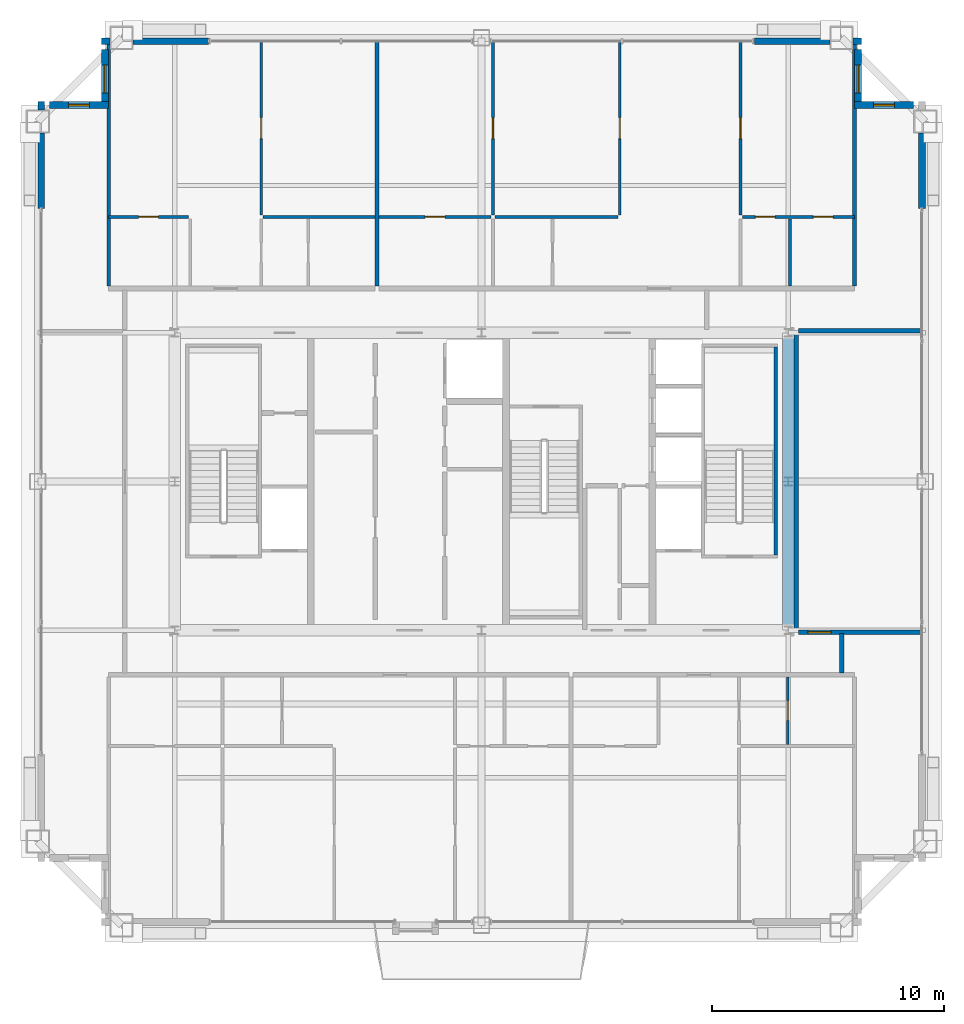
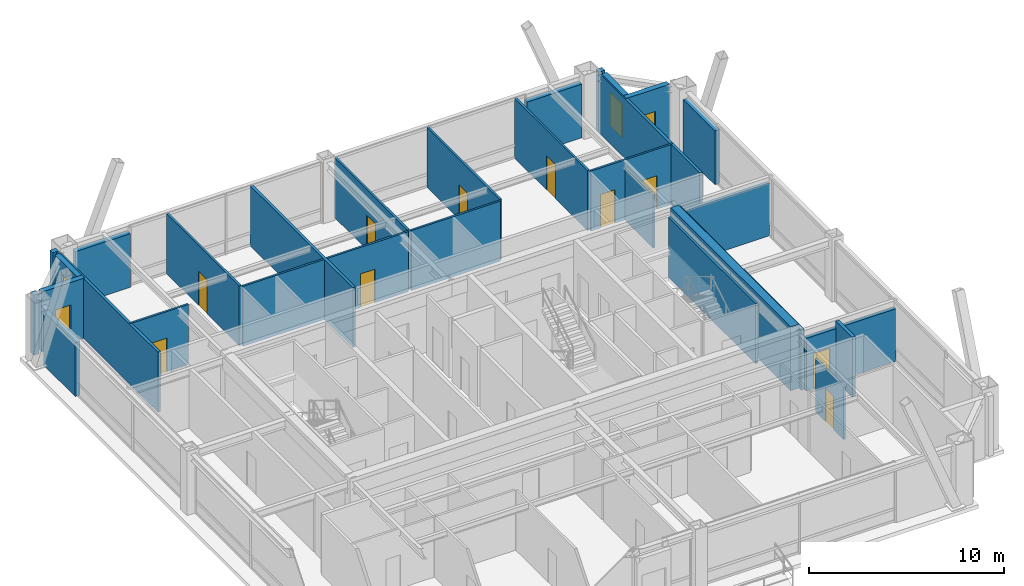
# One storey, part 33 of 35: 31 walls, 10 doors, 4 windows, 14 openings.
"""IFC4 building model written with IfcOpenShell, lengths in metres."""

from ifc_helpers import new_model, si_unit, direction, frame, frame_2d, origin, place, context, subcontext, project, spatial, rectangle, extrude, source, transform, mapped, material, layer, layer_set, type_object, element, fill, save


model = new_model("IFC4")

# Units and contexts
model_context = context("Model", 3, precision=1e-05, world=origin(), true_north=direction((0.0, 1.0)))
body_context = subcontext(model_context, "Body", "Model", "MODEL_VIEW")
ifc_project = project(units=[si_unit("LENGTHUNIT", "METRE"), si_unit("AREAUNIT", "SQUARE_METRE"), si_unit("VOLUMEUNIT", "CUBIC_METRE"), si_unit("PLANEANGLEUNIT", "RADIAN"), si_unit("MASSUNIT", "GRAM", prefix="KILO"), si_unit("THERMODYNAMICTEMPERATUREUNIT", "KELVIN"), si_unit("POWERUNIT", "WATT")], contexts=[model_context])

# Site, building, storey
site_placement = place(None, origin())
site = spatial("IfcSite", under=ifc_project, at=site_placement, CompositionType="ELEMENT")
building_placement = place(site_placement, origin())
building = spatial("IfcBuilding", under=site, at=building_placement, Name="Yuzanri Waterfront Tower", CompositionType="ELEMENT")
storey_placement = place(building_placement, frame((0.0, 0.0, 343.199951171875)))
storey = spatial("IfcBuildingStorey", under=building, at=storey_placement, Name="L92", CompositionType="ELEMENT", Elevation=343.199951171875)

# Wall, opening, door
ifc_material_1 = material(Name="Moisture-Resistant Gypsum Stud Wall", Category="gypsum")
ifc_layer_1 = layer(ifc_material_1, 0.1201171875)
ifc_layer_set_1 = layer_set([ifc_layer_1], Name="Moisture-Resistant Gypsum Stud Wall")
wall_type_1 = type_object("IfcWallType", Name="Bathroom and Kitchen Wet Partition 120", PredefinedType="PARTITIONING", material=ifc_layer_set_1)
wall_1_placement = place(storey_placement, frame((50.179931640625, 14.489990234375, 0.0), z_axis=(0.0, 0.0, 1.0), x_axis=(0.0, 1.0, 0.0)))
wall_1 = element("IfcWall", 1, at=wall_1_placement, inside=storey, type_object=wall_type_1, Name="L92 Partition UW-L92-HS2-SUB-2-W", PredefinedType="PARTITIONING", context=body_context, shape_type="SweptSolid", body=[
    extrude(rectangle(XDim=2.89990234375, YDim=0.1201171875, at=frame_2d((1.449951171875, 0.0))), origin(), (0.0, 0.0, 1.0), 3.304931640625),
])
opening_1_placement = place(wall_1_placement, frame((1.02490234375, 0.0, 0.0)))
opening_1 = element("IfcOpeningElement", 2, at=opening_1_placement, cuts=wall_1, Name="Opening ID-0850", PredefinedType="OPENING", context=body_context, shape_type="SweptSolid", body=[
    extrude(rectangle(XDim=0.85009765625, YDim=2.10009765625, at=frame_2d((0.425048828125, 1.050048828125))), frame((0.0, 0.074951171875, 0.0), z_axis=(0.0, -1.0, 0.0), x_axis=(1.0, 0.0, 0.0)), (0.0, 0.0, 1.0), 0.14990234375),
])
ifc_material_2 = material(Name="Moisture-Resistant Lacquered Timber", Category="wood")
door_type_1 = type_object("IfcDoorType", Name="En-Suite Bathroom and Kitchen Swing Door 850x2100", OperationType="NOTDEFINED", PredefinedType="DOOR", material=ifc_material_2)
shared_shape_1 = source(origin(), body_context, "Body", "SweptSolid", [
    extrude(rectangle(XDim=0.85009765625, YDim=2.10009765625, at=frame_2d((0.425048828125, 1.050048828125))), frame((0.0, 0.02490234375, 0.0), z_axis=(0.0, -1.0, 0.0), x_axis=(1.0, 0.0, 0.0)), (0.0, 0.0, 1.0), 0.050048828125),
])
door_1_placement = place(opening_1_placement, origin())
door_1 = element("IfcDoor", 3, at=door_1_placement, inside=storey, type_object=door_type_1, Name="L92 Suite Interior Room Door", OperationType="SINGLE_SWING_RIGHT", OverallHeight=2.10009765625, OverallWidth=0.85009765625, PredefinedType="DOOR", context=body_context, shape_type="MappedRepresentation", body=[
    mapped(shared_shape_1, transform((0.0, 0.0, 0.0), scale=1.0)),
])
fill(opening_1, door_1)

wall_2_placement = place(storey_placement, frame((20.93994140625, 37.18994140625, 0.0), z_axis=(0.0, 0.0, 1.0), x_axis=(1.0, 0.0, 0.0)))
wall_2 = element("IfcWall", 4, at=wall_2_placement, inside=storey, type_object=wall_type_1, Name="L92 Partition UW-L92-HN1-SUB-1-N", PredefinedType="PARTITIONING", context=body_context, shape_type="SweptSolid", body=[
    extrude(rectangle(XDim=3.445068359375, YDim=0.1201171875, at=frame_2d((1.72265625, 0.0))), origin(), (0.0, 0.0, 1.0), 3.760009765625),
])
opening_2_placement = place(wall_2_placement, frame((1.297607421875, 0.0, 0.0)))
opening_2 = element("IfcOpeningElement", 5, at=opening_2_placement, cuts=wall_2, Name="Opening ID-0850", PredefinedType="OPENING", context=body_context, shape_type="SweptSolid", body=[
    extrude(rectangle(XDim=0.85009765625, YDim=2.10009765625, at=frame_2d((0.425048828125, 1.050048828125))), frame((0.0, 0.074951171875, 0.0), z_axis=(0.0, -1.0, 0.0), x_axis=(1.0, 0.0, 0.0)), (0.0, 0.0, 1.0), 0.14990234375),
])
door_2_placement = place(opening_2_placement, origin())
door_2 = element("IfcDoor", 6, at=door_2_placement, inside=storey, type_object=door_type_1, Name="L92 Suite Interior Room Door", OperationType="SINGLE_SWING_RIGHT", OverallHeight=2.10009765625, OverallWidth=0.85009765625, PredefinedType="DOOR", context=body_context, shape_type="MappedRepresentation", body=[
    mapped(shared_shape_1, transform((0.0, 0.0, 0.0), scale=1.0)),
])
fill(opening_2, door_2)

wall_3_placement = place(storey_placement, frame((27.52001953125, 37.27001953125, 0.0), z_axis=(0.0, 0.0, 1.0), x_axis=(0.0, 1.0, 0.0)))
wall_3 = element("IfcWall", 7, at=wall_3_placement, inside=storey, type_object=wall_type_1, Name="L92 Partition UW-L92-HN1-SUB-3-W", PredefinedType="PARTITIONING", context=body_context, shape_type="SweptSolid", body=[
    extrude(rectangle(XDim=7.47998046875, YDim=0.1201171875, at=frame_2d((3.739990234375, 0.0))), origin(), (0.0, 0.0, 1.0), 3.760009765625),
])
opening_3_placement = place(wall_3_placement, frame((3.2900390625, 0.0, 0.0)))
opening_3 = element("IfcOpeningElement", 8, at=opening_3_placement, cuts=wall_3, Name="Opening ID-0900", PredefinedType="OPENING", context=body_context, shape_type="SweptSolid", body=[
    extrude(rectangle(XDim=0.89990234375, YDim=2.14990234375, at=frame_2d((0.449951171875, 1.074951171875))), frame((0.0, 0.074951171875, 0.0), z_axis=(0.0, -1.0, 0.0), x_axis=(1.0, 0.0, 0.0)), (0.0, 0.0, 1.0), 0.14990234375),
])
ifc_material_3 = material(Name="Stained Walnut Veneer Timber", Category="wood")
door_type_2 = type_object("IfcDoorType", Name="Bedroom and Study Interior Swing Door 900x2150", OperationType="NOTDEFINED", PredefinedType="DOOR", material=ifc_material_3)
shared_shape_2 = source(origin(), body_context, "Body", "SweptSolid", [
    extrude(rectangle(XDim=0.89990234375, YDim=2.14990234375, at=frame_2d((0.449951171875, 1.074951171875))), frame((0.0, 0.02490234375, 0.0), z_axis=(0.0, -1.0, 0.0), x_axis=(1.0, 0.0, 0.0)), (0.0, 0.0, 1.0), 0.050048828125),
])
door_3_placement = place(opening_3_placement, origin())
door_3 = element("IfcDoor", 9, at=door_3_placement, inside=storey, type_object=door_type_2, Name="L92 Suite Interior Room Door", OperationType="SINGLE_SWING_RIGHT", OverallHeight=2.14990234375, OverallWidth=0.89990234375, PredefinedType="DOOR", context=body_context, shape_type="MappedRepresentation", body=[
    mapped(shared_shape_2, transform((0.0, 0.0, 0.0), scale=1.0)),
])
fill(opening_3, door_3)

wall_4_placement = place(storey_placement, frame((32.5830078125, 37.18994140625, 0.0), z_axis=(0.0, 0.0, 1.0), x_axis=(1.0, 0.0, 0.0)))
wall_4 = element("IfcWall", 10, at=wall_4_placement, inside=storey, type_object=wall_type_1, Name="L92 Partition UW-L92-HN2-SUB-1-N", PredefinedType="PARTITIONING", context=body_context, shape_type="SweptSolid", body=[
    extrude(rectangle(XDim=4.830078125, YDim=0.1201171875, at=frame_2d((2.4150390625, 0.0))), origin(), (0.0, 0.0, 1.0), 3.760009765625),
])
opening_4_placement = place(wall_4_placement, frame((1.989990234375, 0.0, 0.0)))
opening_4 = element("IfcOpeningElement", 11, at=opening_4_placement, cuts=wall_4, Name="Opening ID-0850", PredefinedType="OPENING", context=body_context, shape_type="SweptSolid", body=[
    extrude(rectangle(XDim=0.85009765625, YDim=2.10009765625, at=frame_2d((0.425048828125, 1.050048828125))), frame((0.0, 0.074951171875, 0.0), z_axis=(0.0, -1.0, 0.0), x_axis=(1.0, 0.0, 0.0)), (0.0, 0.0, 1.0), 0.14990234375),
])
door_4_placement = place(opening_4_placement, origin())
door_4 = element("IfcDoor", 12, at=door_4_placement, inside=storey, type_object=door_type_1, Name="L92 Suite Interior Room Door", OperationType="SINGLE_SWING_LEFT", OverallHeight=2.10009765625, OverallWidth=0.85009765625, PredefinedType="DOOR", context=body_context, shape_type="MappedRepresentation", body=[
    mapped(shared_shape_1, transform((0.0, 0.0, 0.0), scale=1.0)),
])
fill(opening_4, door_4)

wall_5_placement = place(storey_placement, frame((37.492919921875, 37.27001953125, 0.0), z_axis=(0.0, 0.0, 1.0), x_axis=(0.0, 1.0, 0.0)))
wall_5 = element("IfcWall", 13, at=wall_5_placement, inside=storey, type_object=wall_type_1, Name="L92 Partition UW-L92-HN2-SUB-5-E", PredefinedType="PARTITIONING", context=body_context, shape_type="SweptSolid", body=[
    extrude(rectangle(XDim=7.47998046875, YDim=0.1201171875, at=frame_2d((3.739990234375, 0.0))), origin(), (0.0, 0.0, 1.0), 3.760009765625),
])
opening_5_placement = place(wall_5_placement, frame((3.2900390625, 0.0, 0.0)))
opening_5 = element("IfcOpeningElement", 14, at=opening_5_placement, cuts=wall_5, Name="Opening ID-0900", PredefinedType="OPENING", context=body_context, shape_type="SweptSolid", body=[
    extrude(rectangle(XDim=0.89990234375, YDim=2.14990234375, at=frame_2d((0.449951171875, 1.074951171875))), frame((0.0, 0.074951171875, 0.0), z_axis=(0.0, -1.0, 0.0), x_axis=(1.0, 0.0, 0.0)), (0.0, 0.0, 1.0), 0.14990234375),
])
door_5_placement = place(opening_5_placement, origin())
door_5 = element("IfcDoor", 15, at=door_5_placement, inside=storey, type_object=door_type_2, Name="L92 Suite Interior Room Door", OperationType="SINGLE_SWING_LEFT", OverallHeight=2.14990234375, OverallWidth=0.89990234375, PredefinedType="DOOR", context=body_context, shape_type="MappedRepresentation", body=[
    mapped(shared_shape_2, transform((0.0, 0.0, 0.0), scale=1.0)),
])
fill(opening_5, door_5)

# Wall, openings, doors
wall_6_placement = place(storey_placement, frame((48.22998046875, 37.18994140625, 0.0), z_axis=(0.0, 0.0, 1.0), x_axis=(1.0, 0.0, 0.0)))
wall_6 = element("IfcWall", 16, at=wall_6_placement, inside=storey, type_object=wall_type_1, Name="L92 Partition UW-L92-HN2-SUB-6-S", PredefinedType="PARTITIONING", context=body_context, shape_type="SweptSolid", body=[
    extrude(rectangle(XDim=4.830078125, YDim=0.1201171875, at=frame_2d((2.4150390625, 0.0))), origin(), (0.0, 0.0, 1.0), 3.760009765625),
])
opening_6_placement = place(wall_6_placement, frame((3.054931640625, 0.0, 0.0)))
opening_6 = element("IfcOpeningElement", 17, at=opening_6_placement, cuts=wall_6, Name="Opening ID-0850", PredefinedType="OPENING", context=body_context, shape_type="SweptSolid", body=[
    extrude(rectangle(XDim=0.85009765625, YDim=2.10009765625, at=frame_2d((0.425048828125, 1.050048828125))), frame((0.0, 0.074951171875, 0.0), z_axis=(0.0, -1.0, 0.0), x_axis=(1.0, 0.0, 0.0)), (0.0, 0.0, 1.0), 0.14990234375),
])
opening_7_placement = place(wall_6_placement, frame((0.56005859375, 0.0, 0.0)))
opening_7 = element("IfcOpeningElement", 18, at=opening_7_placement, cuts=wall_6, Name="Opening ID-0850", PredefinedType="OPENING", context=body_context, shape_type="SweptSolid", body=[
    extrude(rectangle(XDim=0.85009765625, YDim=2.10009765625, at=frame_2d((0.425048828125, 1.050048828125))), frame((0.0, 0.074951171875, 0.0), z_axis=(0.0, -1.0, 0.0), x_axis=(1.0, 0.0, 0.0)), (0.0, 0.0, 1.0), 0.14990234375),
])
door_6_placement = place(opening_6_placement, origin())
door_6 = element("IfcDoor", 19, at=door_6_placement, inside=storey, type_object=door_type_1, Name="L92 Suite Interior Room Door", OperationType="SINGLE_SWING_LEFT", OverallHeight=2.10009765625, OverallWidth=0.85009765625, PredefinedType="DOOR", context=body_context, shape_type="MappedRepresentation", body=[
    mapped(shared_shape_1, transform((0.0, 0.0, 0.0), scale=1.0)),
])
fill(opening_6, door_6)
door_7_placement = place(opening_7_placement, origin())
door_7 = element("IfcDoor", 20, at=door_7_placement, inside=storey, type_object=door_type_1, Name="L92 Suite Interior Room Door", OperationType="SINGLE_SWING_RIGHT", OverallHeight=2.10009765625, OverallWidth=0.85009765625, PredefinedType="DOOR", context=body_context, shape_type="MappedRepresentation", body=[
    mapped(shared_shape_1, transform((0.0, 0.0, 0.0), scale=1.0)),
])
fill(opening_7, door_7)

# Wall, opening, door
wall_7_placement = place(storey_placement, frame((48.14990234375, 37.27001953125, 0.0), z_axis=(0.0, 0.0, 1.0), x_axis=(0.0, 1.0, 0.0)))
wall_7 = element("IfcWall", 21, at=wall_7_placement, inside=storey, type_object=wall_type_1, Name="L92 Partition UW-L92-HN2-SUB-6-W", PredefinedType="PARTITIONING", context=body_context, shape_type="SweptSolid", body=[
    extrude(rectangle(XDim=7.47998046875, YDim=0.1201171875, at=frame_2d((3.739990234375, 0.0))), origin(), (0.0, 0.0, 1.0), 3.760009765625),
])
opening_8_placement = place(wall_7_placement, frame((3.2900390625, 0.0, 0.0)))
opening_8 = element("IfcOpeningElement", 22, at=opening_8_placement, cuts=wall_7, Name="Opening ID-0900", PredefinedType="OPENING", context=body_context, shape_type="SweptSolid", body=[
    extrude(rectangle(XDim=0.89990234375, YDim=2.14990234375, at=frame_2d((0.449951171875, 1.074951171875))), frame((0.0, 0.074951171875, 0.0), z_axis=(0.0, -1.0, 0.0), x_axis=(1.0, 0.0, 0.0)), (0.0, 0.0, 1.0), 0.14990234375),
])
door_8_placement = place(opening_8_placement, origin())
door_8 = element("IfcDoor", 23, at=door_8_placement, inside=storey, type_object=door_type_2, Name="L92 Suite Interior Room Door", OperationType="SINGLE_SWING_RIGHT", OverallHeight=2.14990234375, OverallWidth=0.89990234375, PredefinedType="DOOR", context=body_context, shape_type="MappedRepresentation", body=[
    mapped(shared_shape_2, transform((0.0, 0.0, 0.0), scale=1.0)),
])
fill(opening_8, door_8)

wall_8_placement = place(storey_placement, frame((42.949951171875, 37.27001953125, 0.0), z_axis=(0.0, 0.0, 1.0), x_axis=(0.0, 1.0, 0.0)))
wall_8 = element("IfcWall", 24, at=wall_8_placement, inside=storey, type_object=wall_type_1, Name="L92 Partition UW-L92-HN2-SUB-7-E", PredefinedType="PARTITIONING", context=body_context, shape_type="SweptSolid", body=[
    extrude(rectangle(XDim=7.47998046875, YDim=0.1201171875, at=frame_2d((3.739990234375, 0.0))), origin(), (0.0, 0.0, 1.0), 3.760009765625),
])
opening_9_placement = place(wall_8_placement, frame((3.2900390625, 0.0, 0.0)))
opening_9 = element("IfcOpeningElement", 25, at=opening_9_placement, cuts=wall_8, Name="Opening ID-0900", PredefinedType="OPENING", context=body_context, shape_type="SweptSolid", body=[
    extrude(rectangle(XDim=0.89990234375, YDim=2.14990234375, at=frame_2d((0.449951171875, 1.074951171875))), frame((0.0, 0.074951171875, 0.0), z_axis=(0.0, -1.0, 0.0), x_axis=(1.0, 0.0, 0.0)), (0.0, 0.0, 1.0), 0.14990234375),
])
door_9_placement = place(opening_9_placement, origin())
door_9 = element("IfcDoor", 26, at=door_9_placement, inside=storey, type_object=door_type_2, Name="L92 Suite Interior Room Door", OperationType="SINGLE_SWING_LEFT", OverallHeight=2.14990234375, OverallWidth=0.89990234375, PredefinedType="DOOR", context=body_context, shape_type="MappedRepresentation", body=[
    mapped(shared_shape_2, transform((0.0, 0.0, 0.0), scale=1.0)),
])
fill(opening_9, door_9)

# Wall, opening, window
ifc_material_4 = material(Name="Honed Chongqing Dark Basalt Stone", Category="masonry")
ifc_layer_2 = layer(ifc_material_4, 0.300048828125)
ifc_layer_set_2 = layer_set([ifc_layer_2], Name="Honed Chongqing Dark Basalt Stone")
wall_type_2 = type_object("IfcWallType", Name="Bronze Rainscreen Insulated Spandrel Portal Wall 300", PredefinedType="SOLIDWALL", material=ifc_layer_set_2)
wall_9_placement = place(storey_placement, frame((20.949951171875, 42.0, 0.0), z_axis=(0.0, 0.0, 1.0), x_axis=(-1.0, 0.0, 0.0)))
wall_9 = element("IfcWall", 27, at=wall_9_placement, inside=storey, type_object=wall_type_2, Name="L92 Notched Corner Masonry Wall NW-X", PredefinedType="SOLIDWALL", context=body_context, shape_type="SweptSolid", body=[
    extrude(rectangle(XDim=2.550048828125, YDim=0.300048828125, at=frame_2d((1.27490234375, 0.0))), origin(), (0.0, 0.0, 1.0), 3.760009765625),
])
opening_10_placement = place(wall_9_placement, frame((0.824951171875, 0.0, 0.85009765625)))
opening_10 = element("IfcOpeningElement", 28, at=opening_10_placement, cuts=wall_9, Name="Opening WN-05", PredefinedType="OPENING", context=body_context, shape_type="SweptSolid", body=[
    extrude(rectangle(XDim=0.89990234375, YDim=1.5, at=frame_2d((0.449951171875, 0.75))), frame((0.0, 0.1650390625, 0.0), z_axis=(0.0, -1.0, 0.0), x_axis=(1.0, 0.0, 0.0)), (0.0, 0.0, 1.0), 0.329833984375),
])
ifc_material_5 = material(Name="Double-Silver Low-E Insulated Glass", Category="glass")
window_type_1 = type_object("IfcWindowType", Name="Anodized Bronze Service and Stairwell Smoke-Vent Window 900x1500", PartitioningType="SINGLE_PANEL", PredefinedType="WINDOW", material=ifc_material_5)
shared_shape_3 = source(origin(), body_context, "Body", "SweptSolid", [
    extrude(rectangle(XDim=0.89990234375, YDim=1.5, at=frame_2d((0.449951171875, 0.75))), frame((0.0, 0.030029296875, 0.0), z_axis=(0.0, -1.0, 0.0), x_axis=(1.0, 0.0, 0.0)), (0.0, 0.0, 1.0), 0.06005859375),
])
window_1_placement = place(opening_10_placement, origin())
window_1 = element("IfcWindow", 29, at=window_1_placement, inside=storey, type_object=window_type_1, Name="L92 Notched Corner Window NW-X", OverallHeight=1.5, OverallWidth=0.89990234375, PartitioningType="SINGLE_PANEL", PredefinedType="WINDOW", context=body_context, shape_type="MappedRepresentation", body=[
    mapped(shared_shape_3, transform((0.0, 0.0, 0.0), scale=1.0)),
])
fill(opening_10, window_1)

wall_10_placement = place(storey_placement, frame((20.800048828125, 44.39990234375, 0.0), z_axis=(0.0, 0.0, 1.0), x_axis=(0.0, -1.0, 0.0)))
wall_10 = element("IfcWall", 30, at=wall_10_placement, inside=storey, type_object=wall_type_2, Name="L92 Notched Corner Masonry Wall NW-Y", PredefinedType="SOLIDWALL", context=body_context, shape_type="SweptSolid", body=[
    extrude(rectangle(XDim=2.5498046875, YDim=0.300048828125, at=frame_2d((1.27490234375, 0.0))), origin(), (0.0, 0.0, 1.0), 3.760009765625),
])
opening_11_placement = place(wall_10_placement, frame((0.675048828125, 0.0, 0.85009765625)))
opening_11 = element("IfcOpeningElement", 31, at=opening_11_placement, cuts=wall_10, Name="Opening WN-02", PredefinedType="OPENING", context=body_context, shape_type="SweptSolid", body=[
    extrude(rectangle(XDim=1.199951171875, YDim=2.10009765625, at=frame_2d((0.60009765625, 1.050048828125))), frame((0.0, 0.1650390625, 0.0), z_axis=(0.0, -1.0, 0.0), x_axis=(1.0, 0.0, 0.0)), (0.0, 0.0, 1.0), 0.329833984375),
])
ifc_material_6 = material(Name="Double-Silver Low-E Insulated Glass", Category="glass")
window_type_2 = type_object("IfcWindowType", Name="Anodized Bronze Notched Corner Deep-Set Slot Window 1200x2100", PartitioningType="SINGLE_PANEL", PredefinedType="WINDOW", material=ifc_material_6)
shared_shape_4 = source(origin(), body_context, "Body", "SweptSolid", [
    extrude(rectangle(XDim=1.199951171875, YDim=2.10009765625, at=frame_2d((0.60009765625, 1.050048828125))), frame((0.0, 0.030029296875, 0.0), z_axis=(0.0, -1.0, 0.0), x_axis=(1.0, 0.0, 0.0)), (0.0, 0.0, 1.0), 0.06005859375),
])
window_2_placement = place(opening_11_placement, origin())
window_2 = element("IfcWindow", 32, at=window_2_placement, inside=storey, type_object=window_type_2, Name="L92 Notched Corner Window NW-Y", OverallHeight=2.10009765625, OverallWidth=1.199951171875, PartitioningType="SINGLE_PANEL", PredefinedType="WINDOW", context=body_context, shape_type="MappedRepresentation", body=[
    mapped(shared_shape_4, transform((0.0, 0.0, 0.0), scale=1.0)),
])
fill(opening_11, window_2)

wall_11_placement = place(storey_placement, frame((55.60009765625, 42.0, 0.0), z_axis=(0.0, 0.0, 1.0), x_axis=(-1.0, 0.0, 0.0)))
wall_11 = element("IfcWall", 33, at=wall_11_placement, inside=storey, type_object=wall_type_2, Name="L92 Notched Corner Masonry Wall NE-X", PredefinedType="SOLIDWALL", context=body_context, shape_type="SweptSolid", body=[
    extrude(rectangle(XDim=2.550048828125, YDim=0.300048828125, at=frame_2d((1.27490234375, 0.0))), origin(), (0.0, 0.0, 1.0), 3.760009765625),
])
opening_12_placement = place(wall_11_placement, frame((0.824951171875, 0.0, 0.85009765625)))
opening_12 = element("IfcOpeningElement", 34, at=opening_12_placement, cuts=wall_11, Name="Opening WN-05", PredefinedType="OPENING", context=body_context, shape_type="SweptSolid", body=[
    extrude(rectangle(XDim=0.89990234375, YDim=1.5, at=frame_2d((0.449951171875, 0.75))), frame((0.0, 0.1650390625, 0.0), z_axis=(0.0, -1.0, 0.0), x_axis=(1.0, 0.0, 0.0)), (0.0, 0.0, 1.0), 0.329833984375),
])
window_3_placement = place(opening_12_placement, origin())
window_3 = element("IfcWindow", 35, at=window_3_placement, inside=storey, type_object=window_type_1, Name="L92 Notched Corner Window NE-X", OverallHeight=1.5, OverallWidth=0.89990234375, PartitioningType="SINGLE_PANEL", PredefinedType="WINDOW", context=body_context, shape_type="MappedRepresentation", body=[
    mapped(shared_shape_3, transform((0.0, 0.0, 0.0), scale=1.0)),
])
fill(opening_12, window_3)

wall_12_placement = place(storey_placement, frame((53.199951171875, 41.85009765625, 0.0), z_axis=(0.0, 0.0, 1.0), x_axis=(0.0, 1.0, 0.0)))
wall_12 = element("IfcWall", 36, at=wall_12_placement, inside=storey, type_object=wall_type_2, Name="L92 Notched Corner Masonry Wall NE-Y", PredefinedType="SOLIDWALL", context=body_context, shape_type="SweptSolid", body=[
    extrude(rectangle(XDim=2.5498046875, YDim=0.300048828125, at=frame_2d((1.27490234375, 0.0))), origin(), (0.0, 0.0, 1.0), 3.760009765625),
])
opening_13_placement = place(wall_12_placement, frame((0.675048828125, 0.0, 0.85009765625)))
opening_13 = element("IfcOpeningElement", 37, at=opening_13_placement, cuts=wall_12, Name="Opening WN-02", PredefinedType="OPENING", context=body_context, shape_type="SweptSolid", body=[
    extrude(rectangle(XDim=1.199951171875, YDim=2.10009765625, at=frame_2d((0.60009765625, 1.050048828125))), frame((0.0, 0.1650390625, 0.0), z_axis=(0.0, -1.0, 0.0), x_axis=(1.0, 0.0, 0.0)), (0.0, 0.0, 1.0), 0.329833984375),
])
window_4_placement = place(opening_13_placement, origin())
window_4 = element("IfcWindow", 38, at=window_4_placement, inside=storey, type_object=window_type_2, Name="L92 Notched Corner Window NE-Y", OverallHeight=2.10009765625, OverallWidth=1.199951171875, PartitioningType="SINGLE_PANEL", PredefinedType="WINDOW", context=body_context, shape_type="MappedRepresentation", body=[
    mapped(shared_shape_4, transform((0.0, 0.0, 0.0), scale=1.0)),
])
fill(opening_13, window_4)

# Wall, opening, door
ifc_material_7 = material(Name="Autoclaved Aerated Concrete Blockwork", Category="masonry")
ifc_layer_3 = layer(ifc_material_7, 0.199951171875)
ifc_layer_set_3 = layer_set([ifc_layer_3], Name="Autoclaved Aerated Concrete Blockwork")
wall_type_3 = type_object("IfcWallType", Name="Corridor and Unit Party Fire Wall 200", PredefinedType="PARTITIONING", material=ifc_layer_set_3)
wall_13_placement = place(storey_placement, frame((50.64990234375, 19.31005859375, 0.0), z_axis=(0.0, 0.0, 1.0), x_axis=(1.0, 0.0, 0.0)))
wall_13 = element("IfcWall", 39, at=wall_13_placement, inside=storey, type_object=wall_type_3, Name="L92 Partition UW-L92-048-CS", PredefinedType="PARTITIONING", context=body_context, shape_type="SweptSolid", body=[
    extrude(rectangle(XDim=5.300048828125, YDim=0.199951171875, at=frame_2d((2.64990234375, 0.0))), origin(), (0.0, 0.0, 1.0), 3.304931640625),
])
opening_14_placement = place(wall_13_placement, frame((0.39990234375, 0.0, 0.0)))
opening_14 = element("IfcOpeningElement", 40, at=opening_14_placement, cuts=wall_13, Name="Opening FD-1000", PredefinedType="OPENING", context=body_context, shape_type="SweptSolid", body=[
    extrude(rectangle(XDim=1.0, YDim=2.199951171875, at=frame_2d((0.5, 1.10009765625))), frame((0.0, 0.11474609375, 0.0), z_axis=(0.0, -1.0, 0.0), x_axis=(1.0, 0.0, 0.0)), (0.0, 0.0, 1.0), 0.229736328125),
])
ifc_material_8 = material(Name="Engineered Oak Fire-Rated Timber", Category="wood")
door_type_3 = type_object("IfcDoorType", Name="Guestroom and Apartment Entrance Fire Door 1000x2200", OperationType="NOTDEFINED", PredefinedType="DOOR", material=ifc_material_8)
shared_shape_5 = source(origin(), body_context, "Body", "SweptSolid", [
    extrude(rectangle(XDim=1.0, YDim=2.199951171875, at=frame_2d((0.5, 1.10009765625))), frame((0.0, 0.02490234375, 0.0), z_axis=(0.0, -1.0, 0.0), x_axis=(1.0, 0.0, 0.0)), (0.0, 0.0, 1.0), 0.050048828125),
])
door_10_placement = place(opening_14_placement, origin())
door_10 = element("IfcDoor", 41, at=door_10_placement, inside=storey, type_object=door_type_3, Name="L92 High-Rise E Private Dining Restaurant Entrance Door", OperationType="SINGLE_SWING_LEFT", OverallHeight=2.199951171875, OverallWidth=1.0, PredefinedType="DOOR", context=body_context, shape_type="MappedRepresentation", body=[
    mapped(shared_shape_5, transform((0.0, 0.0, 0.0), scale=1.0)),
])
fill(opening_14, door_10)

# Walls
ifc_material_9 = material(Name="Concrete C45", Category="concrete")
ifc_layer_4 = layer(ifc_material_9, 0.47998046875)
ifc_layer_set_4 = layer_set([ifc_layer_4], Name="Concrete C45")
wall_type_4 = type_object("IfcWallType", Name="Concrete C45 High-Rise Core Shear Wall 480", PredefinedType="SHEAR", material=ifc_layer_set_4)
shared_shape_6 = source(origin(), body_context, "Body", "SweptSolid", [
    extrude(rectangle(XDim=12.320068359375, YDim=0.47998046875, at=frame_2d((6.16015625, 0.0))), origin(), (0.0, 0.0, 1.0), 4.0),
])
wall_14_placement = place(storey_placement, frame((50.199951171875, 19.639892578125, 0.0), z_axis=(0.0, 0.0, 1.0), x_axis=(0.0, 1.0, 0.0)))
element("IfcWall", 42, at=wall_14_placement, inside=storey, type_object=wall_type_4, Name="L92 Core East Shear Wall", PredefinedType="SHEAR", context=body_context, shape_type="MappedRepresentation", body=[
    mapped(shared_shape_6, transform((0.0, 0.0, 0.0), scale=1.0)),
])
shared_shape_7 = source(origin(), body_context, "Body", "SweptSolid", [
    extrude(rectangle(XDim=0.35009765625, YDim=0.300048828125, at=frame_2d((0.175048828125, 0.0))), origin(), (0.0, 0.0, 1.0), 3.760009765625),
])
for number, where, z_axis, x_axis, name in (
    (43, (20.64990234375, 44.75, 0.0), (0.0, 0.0, 1.0), (1.0, 0.0, 0.0), "L92 Corner Column Shoulder Return CNW"),
    (44, (53.0, 44.75, 0.0), (0.0, 0.0, 1.0), (1.0, 0.0, 0.0), "L92 Corner Column Shoulder Return CNE"),
):
    element("IfcWall", number, at=place(storey_placement, frame(where, z_axis=z_axis, x_axis=x_axis)), inside=storey, type_object=wall_type_2, Name=name, PredefinedType="SOLIDWALL", context=body_context, shape_type="MappedRepresentation", body=[
        mapped(shared_shape_7, transform((0.0, 0.0, 0.0), scale=1.0)),
    ])
shared_shape_8 = source(origin(), body_context, "Body", "SweptSolid", [
    extrude(rectangle(XDim=0.349853515625, YDim=0.300048828125, at=frame_2d((0.1748046875, 0.0))), origin(), (0.0, 0.0, 1.0), 3.760009765625),
])
wall_15_placement = place(storey_placement, frame((18.050048828125, 41.800048828125, 0.0), z_axis=(0.0, 0.0, 1.0), x_axis=(0.0, 1.0, 0.0)))
element("IfcWall", 45, at=wall_15_placement, inside=storey, type_object=wall_type_2, Name="L92 Corner Column Shoulder Return CWN", PredefinedType="SOLIDWALL", context=body_context, shape_type="MappedRepresentation", body=[
    mapped(shared_shape_8, transform((0.0, 0.0, 0.0), scale=1.0)),
])
shared_shape_9 = source(origin(), body_context, "Body", "SweptSolid", [
    extrude(rectangle(XDim=3.25, YDim=0.300048828125, at=frame_2d((1.625, 0.0))), origin(), (0.0, 0.0, 1.0), 3.364990234375),
])
for number, where, z_axis, x_axis, name in (
    (46, (22.0, 44.75, 0.0), (0.0, 0.0, 1.0), (1.0, 0.0, 0.0), "L92 N Left Braced Masonry Shoulder"),
    (47, (48.75, 44.75, 0.0), (0.0, 0.0, 1.0), (1.0, 0.0, 0.0), "L92 N Right Braced Masonry Shoulder"),
    (48, (18.050048828125, 37.550048828125, 0.0), (0.0, 0.0, 1.0), (0.0, 1.0, 0.0), "L92 W Right Braced Masonry Shoulder"),
    (49, (55.949951171875, 37.550048828125, 0.0), (0.0, 0.0, 1.0), (0.0, 1.0, 0.0), "L92 E Right Braced Masonry Shoulder"),
):
    element("IfcWall", number, at=place(storey_placement, frame(where, z_axis=z_axis, x_axis=x_axis)), inside=storey, type_object=wall_type_2, Name=name, PredefinedType="SOLIDWALL", context=body_context, shape_type="MappedRepresentation", body=[
        mapped(shared_shape_9, transform((0.0, 0.0, 0.0), scale=1.0)),
    ])
ifc_material_10 = material(Name="Concrete C40", Category="concrete")
ifc_layer_5 = layer(ifc_material_10, 0.139892578125)
ifc_layer_set_5 = layer_set([ifc_layer_5], Name="Concrete C40")
wall_type_5 = type_object("IfcWallType", Name="Core Stair Liner and Hoistway Shaft Wall 140", PredefinedType="SOLIDWALL", material=ifc_layer_set_5)
shared_shape_10 = source(origin(), body_context, "Body", "SweptSolid", [
    extrude(rectangle(XDim=8.940185546875, YDim=0.139892578125, at=frame_2d((4.47021484375, 0.0))), origin(), (0.0, 0.0, 1.0), 3.760009765625),
])
wall_16_placement = place(storey_placement, frame((49.669921875, 22.639892578125, 0.0), z_axis=(0.0, 0.0, 1.0), x_axis=(0.0, 1.0, 0.0)))
element("IfcWall", 50, at=wall_16_placement, inside=storey, type_object=wall_type_5, Name="L92 Stair ST-02 East Shaft Wall", PredefinedType="SOLIDWALL", context=body_context, shape_type="MappedRepresentation", body=[
    mapped(shared_shape_10, transform((0.0, 0.0, 0.0), scale=1.0)),
])
shared_shape_11 = source(origin(), body_context, "Body", "SweptSolid", [
    extrude(rectangle(XDim=1.699951171875, YDim=0.199951171875, at=frame_2d((0.85009765625, 0.0))), origin(), (0.0, 0.0, 1.0), 3.760009765625),
])
wall_17_placement = place(storey_placement, frame((52.5, 17.550048828125, 0.0), z_axis=(0.0, 0.0, 1.0), x_axis=(0.0, 1.0, 0.0)))
element("IfcWall", 51, at=wall_17_placement, inside=storey, type_object=wall_type_3, Name="L92 South Foyer East End Wall", PredefinedType="PARTITIONING", context=body_context, shape_type="MappedRepresentation", body=[
    mapped(shared_shape_11, transform((0.0, 0.0, 0.0), scale=1.0)),
])
ifc_material_11 = material(Name="Gypsum Fireboard Acoustic Stud Wall", Category="gypsum")
ifc_layer_6 = layer(ifc_material_11, 0.159912109375)
ifc_layer_set_6 = layer_set([ifc_layer_6], Name="Gypsum Fireboard Acoustic Stud Wall")
wall_type_6 = type_object("IfcWallType", Name="Acoustic Suite Demising Partition 160", PredefinedType="PARTITIONING", material=ifc_layer_set_6)
shared_shape_12 = source(origin(), body_context, "Body", "SweptSolid", [
    extrude(rectangle(XDim=10.5400390625, YDim=0.159912109375, at=frame_2d((5.27001953125, 0.0))), origin(), (0.0, 0.0, 1.0), 3.760009765625),
])
wall_18_placement = place(storey_placement, frame((32.5029296875, 34.2099609375, 0.0), z_axis=(0.0, 0.0, 1.0), x_axis=(0.0, 1.0, 0.0)))
element("IfcWall", 52, at=wall_18_placement, inside=storey, type_object=wall_type_6, Name="L92-HN1 Party Wall", PredefinedType="PARTITIONING", context=body_context, shape_type="MappedRepresentation", body=[
    mapped(shared_shape_12, transform((0.0, 0.0, 0.0), scale=1.0)),
])
shared_shape_13 = source(origin(), body_context, "Body", "SweptSolid", [
    extrude(rectangle(XDim=10.39013671875, YDim=0.159912109375, at=frame_2d((5.195068359375, 0.0))), origin(), (0.0, 0.0, 1.0), 3.760009765625),
])
for number, where, z_axis, x_axis, name in (
    (53, (20.949951171875, 34.2099609375, 0.0), (0.0, 0.0, 1.0), (0.0, 1.0, 0.0), "L92 North Band West End Wall"),
    (54, (53.050048828125, 34.2099609375, 0.0), (0.0, 0.0, 1.0), (0.0, 1.0, 0.0), "L92 North Band East End Wall"),
):
    element("IfcWall", number, at=place(storey_placement, frame(where, z_axis=z_axis, x_axis=x_axis)), inside=storey, type_object=wall_type_6, Name=name, PredefinedType="PARTITIONING", context=body_context, shape_type="MappedRepresentation", body=[
        mapped(shared_shape_13, transform((0.0, 0.0, 0.0), scale=1.0)),
    ])
shared_shape_14 = source(origin(), body_context, "Body", "SweptSolid", [
    extrude(rectangle(XDim=5.300048828125, YDim=0.199951171875, at=frame_2d((2.64990234375, 0.0))), origin(), (0.0, 0.0, 1.0), 3.304931640625),
])
wall_19_placement = place(storey_placement, frame((50.64990234375, 32.2900390625, 0.0), z_axis=(0.0, 0.0, 1.0), x_axis=(1.0, 0.0, 0.0)))
element("IfcWall", 55, at=wall_19_placement, inside=storey, type_object=wall_type_3, Name="L92-048 Wing North Wall", PredefinedType="PARTITIONING", context=body_context, shape_type="MappedRepresentation", body=[
    mapped(shared_shape_14, transform((0.0, 0.0, 0.0), scale=1.0)),
])
shared_shape_15 = source(origin(), body_context, "Body", "SweptSolid", [
    extrude(rectangle(XDim=12.780029296875, YDim=0.199951171875, at=frame_2d((6.39013671875, 0.0))), origin(), (0.0, 0.0, 1.0), 3.760009765625),
])
wall_20_placement = place(storey_placement, frame((50.544921875, 19.409912109375, 0.0), z_axis=(0.0, 0.0, 1.0), x_axis=(0.0, 1.0, 0.0)))
element("IfcWall", 56, at=wall_20_placement, inside=storey, type_object=wall_type_3, Name="L92-048 Wing Inner Core-Side Wall", PredefinedType="PARTITIONING", context=body_context, shape_type="MappedRepresentation", body=[
    mapped(shared_shape_15, transform((0.0, 0.0, 0.0), scale=1.0)),
])
shared_shape_16 = source(origin(), body_context, "Body", "SweptSolid", [
    extrude(rectangle(XDim=4.822998046875, YDim=0.1201171875, at=frame_2d((2.41162109375, 0.0))), origin(), (0.0, 0.0, 1.0), 3.760009765625),
])
wall_21_placement = place(storey_placement, frame((27.60009765625, 37.18994140625, 0.0), z_axis=(0.0, 0.0, 1.0), x_axis=(1.0, 0.0, 0.0)))
element("IfcWall", 57, at=wall_21_placement, inside=storey, type_object=wall_type_1, Name="L92 Partition UW-L92-HN1-SUB-3-S", PredefinedType="PARTITIONING", context=body_context, shape_type="MappedRepresentation", body=[
    mapped(shared_shape_16, transform((0.0, 0.0, 0.0), scale=1.0)),
])
shared_shape_17 = source(origin(), body_context, "Body", "SweptSolid", [
    extrude(rectangle(XDim=2.900146484375, YDim=0.1201171875, at=frame_2d((1.4501953125, 0.0))), origin(), (0.0, 0.0, 1.0), 3.304931640625),
])
wall_22_placement = place(storey_placement, frame((50.280029296875, 34.2099609375, 0.0), z_axis=(0.0, 0.0, 1.0), x_axis=(0.0, 1.0, 0.0)))
element("IfcWall", 58, at=wall_22_placement, inside=storey, type_object=wall_type_1, Name="L92 Partition UW-L92-HN2-SUB-3-W", PredefinedType="PARTITIONING", context=body_context, shape_type="MappedRepresentation", body=[
    mapped(shared_shape_17, transform((0.0, 0.0, 0.0), scale=1.0)),
])
shared_shape_18 = source(origin(), body_context, "Body", "SweptSolid", [
    extrude(rectangle(XDim=5.297119140625, YDim=0.1201171875, at=frame_2d((2.6484375, 0.0))), origin(), (0.0, 0.0, 1.0), 3.760009765625),
])
wall_23_placement = place(storey_placement, frame((37.572998046875, 37.18994140625, 0.0), z_axis=(0.0, 0.0, 1.0), x_axis=(1.0, 0.0, 0.0)))
element("IfcWall", 59, at=wall_23_placement, inside=storey, type_object=wall_type_1, Name="L92 Partition UW-L92-HN2-SUB-7-S", PredefinedType="PARTITIONING", context=body_context, shape_type="MappedRepresentation", body=[
    mapped(shared_shape_18, transform((0.0, 0.0, 0.0), scale=1.0)),
])

save(model, "model.ifc")
